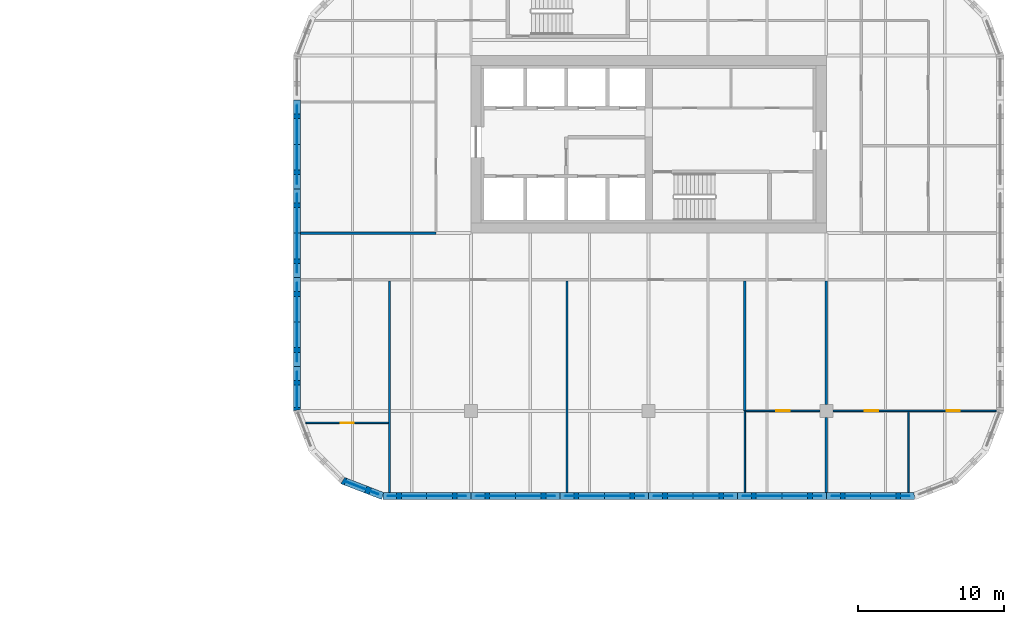
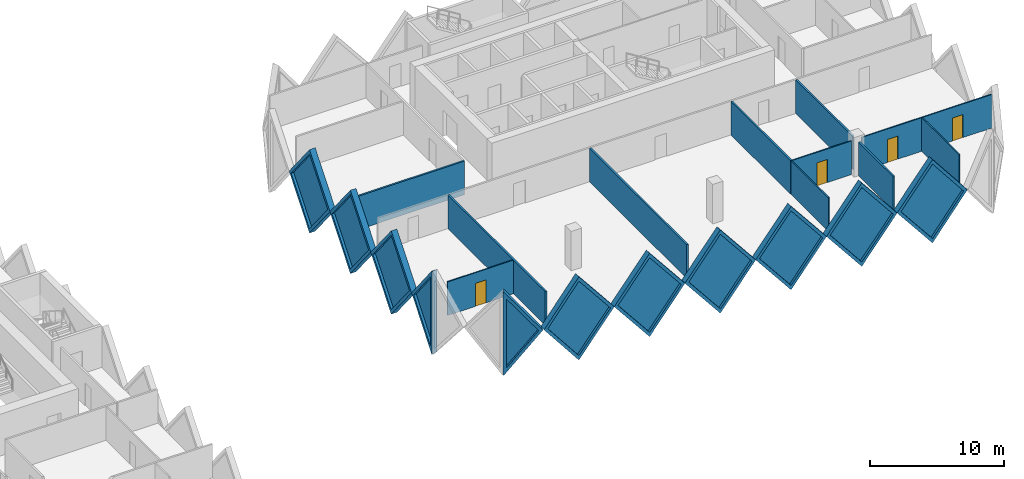
# One storey, part 11 of 18: 22 walls, 11 plates, 4 doors, 15 openings.
"""IFC4 building model written with IfcOpenShell, lengths in metres."""

from ifc_helpers import new_model, si_unit, direction, frame, frame_2d, origin, place, context, subcontext, project, spatial, polyline, rectangle, outline, extrude, faceted_brep, source, transform, mapped, material, layer, layer_set, type_object, element, fill, save


model = new_model("IFC4")

# Units and contexts
model_context = context("Model", 3, precision=1e-05, world=origin(), true_north=direction((0.0, 1.0)))
body_context = subcontext(model_context, "Body", "Model", "MODEL_VIEW")
ifc_project = project(units=[si_unit("LENGTHUNIT", "METRE"), si_unit("AREAUNIT", "SQUARE_METRE"), si_unit("VOLUMEUNIT", "CUBIC_METRE"), si_unit("PLANEANGLEUNIT", "RADIAN"), si_unit("MASSUNIT", "GRAM", prefix="KILO")], contexts=[model_context])

# Site, building, storey
site_placement = place(None, origin())
site = spatial("IfcSite", under=ifc_project, at=site_placement, CompositionType="ELEMENT")
building_placement = place(site_placement, origin())
building = spatial("IfcBuilding", under=site, at=building_placement, Name="Tessera Gate Towers", CompositionType="ELEMENT")
storey_placement = place(building_placement, frame((0.0, 0.0, 44.800048828125)))
storey = spatial("IfcBuildingStorey", under=building, at=storey_placement, Name="L10", CompositionType="ELEMENT", Elevation=44.800048828125)

# Walls
ifc_material_1 = material(Name="Gypsum board on steel studs, mineral wool", Category="steel")
ifc_layer_1 = layer(ifc_material_1, 0.14990234375)
ifc_layer_set_1 = layer_set([ifc_layer_1], Name="CORRIDOR WALL 150")
wall_type_1 = type_object("IfcWallType", Name="CORRIDOR WALL 150", PredefinedType="PARTITIONING", material=ifc_layer_set_1)
wall_1_placement = place(storey_placement, frame((85.89990234375, 36.60009765625, 0.0), z_axis=(0.0, 0.0, 1.0), x_axis=(1.0, 0.0, 0.0)))
element("IfcWall", 1, at=wall_1_placement, inside=storey, type_object=wall_type_1, Name="T2-L10-PW-012", PredefinedType="PARTITIONING", context=body_context, shape_type="SweptSolid", body=[
    extrude(rectangle(XDim=9.300048828125, YDim=0.14990234375, at=frame_2d((4.64990234375, 0.0))), origin(), (0.0, 0.0, 1.0), 3.06689453125),
])
ifc_material_2 = material(Name="Glass", Category="glass")
ifc_layer_2 = layer(ifc_material_2, 0.10009765625)
ifc_layer_set_2 = layer_set([ifc_layer_2], Name="GLAZED PARTITION 100")
wall_type_2 = type_object("IfcWallType", Name="GLAZED PARTITION 100", PredefinedType="PARTITIONING", material=ifc_layer_set_2)
wall_2_placement = place(storey_placement, frame((116.39990234375, 18.800048828125, 0.0), z_axis=(0.0, 0.0, 1.0), x_axis=(0.0, 1.0, 0.0)))
element("IfcWall", 2, at=wall_2_placement, inside=storey, type_object=wall_type_2, Name="T2-L10-PW-003", PredefinedType="PARTITIONING", context=body_context, shape_type="SweptSolid", body=[
    extrude(rectangle(XDim=5.598876953125, YDim=0.10009765625, at=frame_2d((2.79931640625, 0.0))), origin(), (0.0, 0.0, 1.0), 3.06689453125),
])

# Wall, opening, door
wall_3_placement = place(storey_placement, frame((121.549072265625, 24.39990234375, 0.0), z_axis=(0.0, 0.0, 1.0), x_axis=(-1.0, 0.0, 0.0)))
wall_3 = element("IfcWall", 3, at=wall_3_placement, inside=storey, type_object=wall_type_2, Name="T2-L10-PW-008", PredefinedType="PARTITIONING", context=body_context, shape_type="SweptSolid", body=[
    extrude(rectangle(XDim=5.072998046875, YDim=0.10009765625, at=frame_2d((2.53662109375, 0.0))), origin(), (0.0, 0.0, 1.0), 3.06689453125),
])
shared_shape_1 = source(origin(), body_context, "Body", "SweptSolid", [
    extrude(rectangle(XDim=0.89990234375, YDim=2.10009765625, at=frame_2d((0.449951171875, 1.050048828125))), frame((0.0, 0.06005859375, 0.0), z_axis=(0.0, -1.0, 0.0), x_axis=(1.0, 0.0, 0.0)), (0.0, 0.0, 1.0), 0.1201171875),
])
opening_1_placement = place(wall_3_placement, frame((2.072998046875, 0.0, 0.0)))
opening_1 = element("IfcOpeningElement", 4, at=opening_1_placement, cuts=wall_3, Name="Opening D690-B04-01", PredefinedType="OPENING", context=body_context, shape_type="MappedRepresentation", body=[
    mapped(shared_shape_1, transform((0.0, 0.0, 0.0), scale=1.0)),
])
ifc_material_3 = material(Name="Glass in aluminium frame", Category="aluminium")
door_type_1 = type_object("IfcDoorType", Name="GLAZED DOOR 900 NOT RATED", OperationType="NOTDEFINED", PredefinedType="DOOR", material=ifc_material_3)
shared_shape_2 = source(origin(), body_context, "Body", "SweptSolid", [
    extrude(rectangle(XDim=0.89990234375, YDim=2.10009765625, at=frame_2d((0.449951171875, 1.050048828125))), frame((0.0, 0.02490234375, 0.0), z_axis=(0.0, -1.0, 0.0), x_axis=(1.0, 0.0, 0.0)), (0.0, 0.0, 1.0), 0.050048828125),
])
door_1_placement = place(opening_1_placement, origin())
door_1 = element("IfcDoor", 5, at=door_1_placement, inside=storey, type_object=door_type_1, Name="T2-L10-PD-002", OperationType="SINGLE_SWING_RIGHT", OverallHeight=2.10009765625, OverallWidth=0.89990234375, PredefinedType="DOOR", context=body_context, shape_type="MappedRepresentation", body=[
    mapped(shared_shape_2, transform((0.0, 0.0, 0.0), scale=1.0)),
])
fill(opening_1, door_1)

# Wall
ifc_material_4 = material(Name="Gypsum board on steel studs", Category="steel")
ifc_layer_3 = layer(ifc_material_4, 0.10009765625)
ifc_layer_set_3 = layer_set([ifc_layer_3], Name="PARTITION 100")
wall_type_3 = type_object("IfcWallType", Name="PARTITION 100", PredefinedType="PARTITIONING", material=ifc_layer_set_3)
wall_4_placement = place(storey_placement, frame((127.652099609375, 18.800048828125, 0.0), z_axis=(0.0, 0.0, 1.0), x_axis=(0.0, 1.0, 0.0)))
element("IfcWall", 6, at=wall_4_placement, inside=storey, type_object=wall_type_3, Name="T2-L10-PW-005", PredefinedType="PARTITIONING", context=body_context, shape_type="SweptSolid", body=[
    extrude(rectangle(XDim=5.549072265625, YDim=0.10009765625, at=frame_2d((2.7744140625, 0.0))), origin(), (0.0, 0.0, 1.0), 3.06689453125),
])

# Wall, opening, door
wall_5_placement = place(storey_placement, frame((91.924072265625, 23.574951171875, 0.0), z_axis=(0.0, 0.0, 1.0), x_axis=(-1.0, 0.0, 0.0)))
wall_5 = element("IfcWall", 7, at=wall_5_placement, inside=storey, type_object=wall_type_3, Name="T2-L10-PW-006", PredefinedType="PARTITIONING", context=body_context, shape_type="SweptSolid", body=[
    extrude(rectangle(XDim=5.669921875, YDim=0.10009765625, at=frame_2d((2.8349609375, 0.0))), origin(), (0.0, 0.0, 1.0), 3.06689453125),
])
opening_2_placement = place(wall_5_placement, frame((2.369873046875, 0.0, 0.0)))
opening_2 = element("IfcOpeningElement", 8, at=opening_2_placement, cuts=wall_5, Name="Opening D190-B04-02", PredefinedType="OPENING", context=body_context, shape_type="MappedRepresentation", body=[
    mapped(shared_shape_1, transform((0.0, 0.0, 0.0), scale=1.0)),
])
ifc_material_5 = material(Name="Timber door leaf in steel frame", Category="steel")
door_type_2 = type_object("IfcDoorType", Name="INTERNAL DOOR 900 NOT RATED", OperationType="NOTDEFINED", PredefinedType="DOOR", material=ifc_material_5)
door_2_placement = place(opening_2_placement, origin())
door_2 = element("IfcDoor", 9, at=door_2_placement, inside=storey, type_object=door_type_2, Name="T2-L10-PD-006", OperationType="SINGLE_SWING_RIGHT", OverallHeight=2.10009765625, OverallWidth=0.89990234375, PredefinedType="DOOR", context=body_context, shape_type="MappedRepresentation", body=[
    mapped(shared_shape_2, transform((0.0, 0.0, 0.0), scale=1.0)),
])
fill(opening_2, door_2)

# Wall, openings, doors
wall_6_placement = place(storey_placement, frame((133.6640625, 24.39990234375, 0.0), z_axis=(0.0, 0.0, 1.0), x_axis=(-1.0, 0.0, 0.0)))
wall_6 = element("IfcWall", 10, at=wall_6_placement, inside=storey, type_object=wall_type_3, Name="T2-L10-PW-009", PredefinedType="PARTITIONING", context=body_context, shape_type="SweptSolid", body=[
    extrude(rectangle(XDim=11.213134765625, YDim=0.10009765625, at=frame_2d((5.6064453125, 0.0))), origin(), (0.0, 0.0, 1.0), 3.06689453125),
])
opening_3_placement = place(wall_6_placement, frame((8.113037109375, 0.0, 0.0)))
opening_3 = element("IfcOpeningElement", 11, at=opening_3_placement, cuts=wall_6, Name="Opening D190-B04-01", PredefinedType="OPENING", context=body_context, shape_type="MappedRepresentation", body=[
    mapped(shared_shape_1, transform((0.0, 0.0, 0.0), scale=1.0)),
])
opening_4_placement = place(wall_6_placement, frame((2.511962890625, 0.0, 0.0)))
opening_4 = element("IfcOpeningElement", 12, at=opening_4_placement, cuts=wall_6, Name="Opening D190-B04-03", PredefinedType="OPENING", context=body_context, shape_type="MappedRepresentation", body=[
    mapped(shared_shape_1, transform((0.0, 0.0, 0.0), scale=1.0)),
])
door_3_placement = place(opening_3_placement, origin())
door_3 = element("IfcDoor", 13, at=door_3_placement, inside=storey, type_object=door_type_2, Name="T2-L10-PD-003", OperationType="SINGLE_SWING_RIGHT", OverallHeight=2.10009765625, OverallWidth=0.89990234375, PredefinedType="DOOR", context=body_context, shape_type="MappedRepresentation", body=[
    mapped(shared_shape_2, transform((0.0, 0.0, 0.0), scale=1.0)),
])
fill(opening_3, door_3)
door_4_placement = place(opening_4_placement, origin())
door_4 = element("IfcDoor", 14, at=door_4_placement, inside=storey, type_object=door_type_2, Name="T2-L10-PD-008", OperationType="SINGLE_SWING_RIGHT", OverallHeight=2.10009765625, OverallWidth=0.89990234375, PredefinedType="DOOR", context=body_context, shape_type="MappedRepresentation", body=[
    mapped(shared_shape_2, transform((0.0, 0.0, 0.0), scale=1.0)),
])
fill(opening_4, door_4)

# Walls
ifc_material_6 = material(Name="Gypsum board on steel studs, mineral wool", Category="steel")
ifc_layer_4 = layer(ifc_material_6, 0.14990234375)
ifc_layer_set_4 = layer_set([ifc_layer_4], Name="TENANCY WALL 150")
wall_type_4 = type_object("IfcWallType", Name="TENANCY WALL 150", PredefinedType="PARTITIONING", material=ifc_layer_set_4)
for number, where, z_axis, x_axis, name in (
    (15, (92.0, 18.800048828125, 0.0), (0.0, 0.0, 1.0), (0.0, 1.0, 0.0), "T2-L10-PW-001"),
    (16, (104.199951171875, 18.800048828125, 0.0), (0.0, 0.0, 1.0), (0.0, 1.0, 0.0), "T2-L10-PW-002"),
):
    element("IfcWall", number, at=place(storey_placement, frame(where, z_axis=z_axis, x_axis=x_axis)), inside=storey, type_object=wall_type_4, Name=name, PredefinedType="PARTITIONING", context=body_context, shape_type="SweptSolid", body=[
        extrude(rectangle(XDim=14.52392578125, YDim=0.14990234375, at=frame_2d((7.261962890625, 0.0))), origin(), (0.0, 0.0, 1.0), 3.06689453125),
    ])
wall_7_placement = place(storey_placement, frame((122.0, 18.800048828125, 0.0), z_axis=(0.0, 0.0, 1.0), x_axis=(0.0, 1.0, 0.0)))
element("IfcWall", 17, at=wall_7_placement, inside=storey, type_object=wall_type_4, Name="T2-L10-PW-004", PredefinedType="PARTITIONING", context=body_context, shape_type="SweptSolid", body=[
    extrude(rectangle(XDim=5.14892578125, YDim=0.14990234375, at=frame_2d((2.574462890625, 0.0))), origin(), (0.0, 0.0, 1.0), 3.06689453125),
])
wall_8_placement = place(storey_placement, frame((116.39990234375, 24.39990234375, 0.0), z_axis=(0.0, 0.0, 1.0), x_axis=(0.0, 1.0, 0.0)))
element("IfcWall", 18, at=wall_8_placement, inside=storey, type_object=wall_type_4, Name="T2-L10-PW-007", PredefinedType="PARTITIONING", context=body_context, shape_type="SweptSolid", body=[
    extrude(rectangle(XDim=8.924072265625, YDim=0.14990234375, at=frame_2d((4.4619140625, 0.0))), origin(), (0.0, 0.0, 1.0), 3.06689453125),
])
wall_9_placement = place(storey_placement, frame((122.0, 24.85107421875, 0.0), z_axis=(0.0, 0.0, 1.0), x_axis=(0.0, 1.0, 0.0)))
element("IfcWall", 19, at=wall_9_placement, inside=storey, type_object=wall_type_4, Name="T2-L10-PW-010", PredefinedType="PARTITIONING", context=body_context, shape_type="SweptSolid", body=[
    extrude(rectangle(XDim=8.472900390625, YDim=0.14990234375, at=frame_2d((4.236328125, 0.0))), origin(), (0.0, 0.0, 1.0), 3.06689453125),
])

# Wall, opening, plate
ifc_material_7 = material(Name="Precast concrete C60/75 white", Category="concrete")
ifc_layer_5 = layer(ifc_material_7, 0.5)
ifc_layer_set_5 = layer_set([ifc_layer_5], Name="TS1 tessera")
wall_type_5 = type_object("IfcWallType", Name="TS1 tessera", PredefinedType="SOLIDWALL", material=ifc_layer_set_5)
shared_shape_3 = source(origin(), body_context, "Body", "Brep", [
    faceted_brep([(3.00341796875, -0.25, 0.0), (6.053466796875, -0.25, 3.800048828125), (3.00341796875, -0.25, 7.60009765625), (0.0, -0.25, 3.800048828125), (0.046630859375, 0.25, 3.85888671875), (3.00341796875, 0.25, 7.60009765625), (6.053466796875, 0.25, 3.800048828125), (3.00341796875, 0.25, 0.0), (0.046630859375, 0.25, 3.7412109375), (0.0, 0.0, 3.800048828125)], [[[0, 1, 2, 3]], [[4, 5, 6, 7, 8]], [[7, 6, 1, 0]], [[6, 5, 2, 1]], [[5, 4, 9, 3, 2]], [[8, 7, 0, 3, 9]], [[8, 9, 4]]]),
])
wall_10_placement = place(storey_placement, frame((91.546630859375, 18.550048828125, -3.800048828125), z_axis=(0.0, 0.0, 1.0), x_axis=(1.0, 0.0, 0.0)))
wall_10 = element("IfcWall", 20, at=wall_10_placement, inside=storey, type_object=wall_type_5, Name="Precast tessera T2 TS1-0090", PredefinedType="SOLIDWALL", context=body_context, shape_type="MappedRepresentation", body=[
    mapped(shared_shape_3, transform((0.0, 0.0, 0.0), scale=1.0)),
])
shared_shape_4 = source(origin(), body_context, "Body", "SweptSolid", [
    extrude(outline(polyline([(3.0048828125, 0.4013671875), (5.73291015625, 3.800048828125), (3.0048828125, 7.19873046875), (0.318603515625, 3.800048828125), (3.0048828125, 0.4013671875)])), frame((0.0, 0.260009765625, 0.0), z_axis=(0.0, -1.0, 0.0), x_axis=(1.0, 0.0, 0.0)), (0.0, 0.0, 1.0), 0.52001953125),
])
opening_5_placement = place(wall_10_placement, origin())
opening_5 = element("IfcOpeningElement", 21, at=opening_5_placement, cuts=wall_10, Name="Opening T2-PL2-0170", PredefinedType="OPENING", context=body_context, shape_type="MappedRepresentation", body=[
    mapped(shared_shape_4, transform((0.0, 0.0, 0.0), scale=1.0)),
])
ifc_material_8 = material(Name="Low-e laminated glass", Category="glass")
ifc_layer_6 = layer(ifc_material_8, 0.06005859375)
ifc_layer_set_6 = layer_set([ifc_layer_6], Name="PL2 rhombic pane")
plate_type = type_object("IfcPlateType", Name="PL2 rhombic pane", PredefinedType="SHEET", material=ifc_layer_set_6)
shared_shape_5 = source(origin(), body_context, "Body", "SweptSolid", [
    extrude(outline(polyline([(3.0048828125, 0.4013671875), (5.73291015625, 3.800048828125), (3.0048828125, 7.19873046875), (0.318603515625, 3.800048828125), (3.0048828125, 0.4013671875)])), frame((0.0, 0.030029296875, 0.0), z_axis=(0.0, -1.0, 0.0), x_axis=(1.0, 0.0, 0.0)), (0.0, 0.0, 1.0), 0.06005859375),
])
plate_1_placement = place(opening_5_placement, origin())
plate_1 = element("IfcPlate", 22, at=plate_1_placement, inside=storey, type_object=plate_type, Name="Glass pane T2 PL2-0170", PredefinedType="SHEET", context=body_context, shape_type="MappedRepresentation", body=[
    mapped(shared_shape_5, transform((0.0, 0.0, 0.0), scale=1.0)),
])
fill(opening_5, plate_1)

shared_shape_6 = source(origin(), body_context, "Body", "Brep", [
    faceted_brep([(3.050048828125, -0.25, 0.0), (6.099853515625, -0.25, 3.7998046875), (6.099853515625, -0.25, 3.80029296875), (3.050048828125, -0.25, 7.60009765625), (0.0, -0.25, 3.800048828125), (0.0, 0.25, 3.800048828125), (3.050048828125, 0.25, 7.60009765625), (6.099853515625, 0.25, 3.80029296875), (6.099853515625, 0.25, 3.7998046875), (3.050048828125, 0.25, 0.0)], [[[0, 1, 2, 3, 4]], [[5, 6, 7, 8, 9]], [[9, 8, 1, 0]], [[7, 6, 3, 2]], [[6, 5, 4, 3]], [[5, 9, 0, 4]], [[1, 8, 7, 2]]]),
])
wall_11_placement = place(storey_placement, frame((97.60009765625, 18.550048828125, -3.800048828125), z_axis=(0.0, 0.0, 1.0), x_axis=(1.0, 0.0, 0.0)))
wall_11 = element("IfcWall", 23, at=wall_11_placement, inside=storey, type_object=wall_type_5, Name="Precast tessera T2 TS1-0091", PredefinedType="SOLIDWALL", context=body_context, shape_type="MappedRepresentation", body=[
    mapped(shared_shape_6, transform((0.0, 0.0, 0.0), scale=1.0)),
])
shared_shape_7 = source(origin(), body_context, "Body", "SweptSolid", [
    extrude(outline(polyline([(3.050048828125, 0.3994140625), (5.779541015625, 3.800048828125), (3.050048828125, 7.20068359375), (0.320556640625, 3.800048828125), (3.050048828125, 0.3994140625)])), frame((0.0, 0.260009765625, 0.0), z_axis=(0.0, -1.0, 0.0), x_axis=(1.0, 0.0, 0.0)), (0.0, 0.0, 1.0), 0.52001953125),
])
opening_6_placement = place(wall_11_placement, origin())
opening_6 = element("IfcOpeningElement", 24, at=opening_6_placement, cuts=wall_11, Name="Opening T2-PL2-0171", PredefinedType="OPENING", context=body_context, shape_type="MappedRepresentation", body=[
    mapped(shared_shape_7, transform((0.0, 0.0, 0.0), scale=1.0)),
])
shared_shape_8 = source(origin(), body_context, "Body", "SweptSolid", [
    extrude(outline(polyline([(3.050048828125, 0.3994140625), (5.779541015625, 3.800048828125), (3.050048828125, 7.20068359375), (0.320556640625, 3.800048828125), (3.050048828125, 0.3994140625)])), frame((0.0, 0.030029296875, 0.0), z_axis=(0.0, -1.0, 0.0), x_axis=(1.0, 0.0, 0.0)), (0.0, 0.0, 1.0), 0.06005859375),
])
plate_2_placement = place(opening_6_placement, origin())
plate_2 = element("IfcPlate", 25, at=plate_2_placement, inside=storey, type_object=plate_type, Name="Glass pane T2 PL2-0171", PredefinedType="SHEET", context=body_context, shape_type="MappedRepresentation", body=[
    mapped(shared_shape_8, transform((0.0, 0.0, 0.0), scale=1.0)),
])
fill(opening_6, plate_2)

wall_12_placement = place(storey_placement, frame((109.800048828125, 18.550048828125, -3.800048828125), z_axis=(0.0, 0.0, 1.0), x_axis=(1.0, 0.0, 0.0)))
wall_12 = element("IfcWall", 26, at=wall_12_placement, inside=storey, type_object=wall_type_5, Name="Precast tessera T2 TS1-0093", PredefinedType="SOLIDWALL", context=body_context, shape_type="MappedRepresentation", body=[
    mapped(shared_shape_6, transform((0.0, 0.0, 0.0), scale=1.0)),
])
opening_7_placement = place(wall_12_placement, origin())
opening_7 = element("IfcOpeningElement", 27, at=opening_7_placement, cuts=wall_12, Name="Opening T2-PL2-0173", PredefinedType="OPENING", context=body_context, shape_type="MappedRepresentation", body=[
    mapped(shared_shape_7, transform((0.0, 0.0, 0.0), scale=1.0)),
])
plate_3_placement = place(opening_7_placement, origin())
plate_3 = element("IfcPlate", 28, at=plate_3_placement, inside=storey, type_object=plate_type, Name="Glass pane T2 PL2-0173", PredefinedType="SHEET", context=body_context, shape_type="MappedRepresentation", body=[
    mapped(shared_shape_8, transform((0.0, 0.0, 0.0), scale=1.0)),
])
fill(opening_7, plate_3)

wall_13_placement = place(storey_placement, frame((85.64990234375, 39.64990234375, -3.800048828125), z_axis=(0.0, 0.0, 1.0), x_axis=(0.0, -1.0, 0.0)))
wall_13 = element("IfcWall", 29, at=wall_13_placement, inside=storey, type_object=wall_type_5, Name="Precast tessera T2 TS1-0106", PredefinedType="SOLIDWALL", context=body_context, shape_type="MappedRepresentation", body=[
    mapped(shared_shape_6, transform((0.0, 0.0, 0.0), scale=1.0)),
])
opening_8_placement = place(wall_13_placement, origin())
opening_8 = element("IfcOpeningElement", 30, at=opening_8_placement, cuts=wall_13, Name="Opening T2-PL2-0198", PredefinedType="OPENING", context=body_context, shape_type="MappedRepresentation", body=[
    mapped(shared_shape_7, transform((0.0, 0.0, 0.0), scale=1.0)),
])
plate_4_placement = place(opening_8_placement, origin())
plate_4 = element("IfcPlate", 31, at=plate_4_placement, inside=storey, type_object=plate_type, Name="Glass pane T2 PL2-0198", PredefinedType="SHEET", context=body_context, shape_type="MappedRepresentation", body=[
    mapped(shared_shape_8, transform((0.0, 0.0, 0.0), scale=1.0)),
])
fill(opening_8, plate_4)

shared_shape_9 = source(origin(), body_context, "Body", "SweptSolid", [
    extrude(outline(polyline([(3.050048828125, 0.0), (6.10009765625, 3.800048828125), (3.050048828125, 7.60009765625), (0.0, 3.800048828125), (3.050048828125, 0.0)])), frame((0.0, 0.25, 0.0), z_axis=(0.0, -1.0, 0.0), x_axis=(1.0, 0.0, 0.0)), (0.0, 0.0, 1.0), 0.5),
])
wall_14_placement = place(storey_placement, frame((103.699951171875, 18.550048828125, -3.800048828125), z_axis=(0.0, 0.0, 1.0), x_axis=(1.0, 0.0, 0.0)))
wall_14 = element("IfcWall", 32, at=wall_14_placement, inside=storey, type_object=wall_type_5, Name="Precast tessera T2 TS1-0092", PredefinedType="SOLIDWALL", context=body_context, shape_type="MappedRepresentation", body=[
    mapped(shared_shape_9, transform((0.0, 0.0, 0.0), scale=1.0)),
])
opening_9_placement = place(wall_14_placement, origin())
opening_9 = element("IfcOpeningElement", 33, at=opening_9_placement, cuts=wall_14, Name="Opening T2-PL2-0172", PredefinedType="OPENING", context=body_context, shape_type="MappedRepresentation", body=[
    mapped(shared_shape_7, transform((0.0, 0.0, 0.0), scale=1.0)),
])
plate_5_placement = place(opening_9_placement, origin())
plate_5 = element("IfcPlate", 34, at=plate_5_placement, inside=storey, type_object=plate_type, Name="Glass pane T2 PL2-0172", PredefinedType="SHEET", context=body_context, shape_type="MappedRepresentation", body=[
    mapped(shared_shape_8, transform((0.0, 0.0, 0.0), scale=1.0)),
])
fill(opening_9, plate_5)

wall_15_placement = place(storey_placement, frame((115.89990234375, 18.550048828125, -3.800048828125), z_axis=(0.0, 0.0, 1.0), x_axis=(1.0, 0.0, 0.0)))
wall_15 = element("IfcWall", 35, at=wall_15_placement, inside=storey, type_object=wall_type_5, Name="Precast tessera T2 TS1-0094", PredefinedType="SOLIDWALL", context=body_context, shape_type="MappedRepresentation", body=[
    mapped(shared_shape_9, transform((0.0, 0.0, 0.0), scale=1.0)),
])
opening_10_placement = place(wall_15_placement, origin())
opening_10 = element("IfcOpeningElement", 36, at=opening_10_placement, cuts=wall_15, Name="Opening T2-PL2-0174", PredefinedType="OPENING", context=body_context, shape_type="MappedRepresentation", body=[
    mapped(shared_shape_7, transform((0.0, 0.0, 0.0), scale=1.0)),
])
plate_6_placement = place(opening_10_placement, origin())
plate_6 = element("IfcPlate", 37, at=plate_6_placement, inside=storey, type_object=plate_type, Name="Glass pane T2 PL2-0174", PredefinedType="SHEET", context=body_context, shape_type="MappedRepresentation", body=[
    mapped(shared_shape_8, transform((0.0, 0.0, 0.0), scale=1.0)),
])
fill(opening_10, plate_6)

wall_16_placement = place(storey_placement, frame((85.64990234375, 45.75, -3.800048828125), z_axis=(0.0, 0.0, 1.0), x_axis=(0.0, -1.0, 0.0)))
wall_16 = element("IfcWall", 38, at=wall_16_placement, inside=storey, type_object=wall_type_5, Name="Precast tessera T2 TS1-0105", PredefinedType="SOLIDWALL", context=body_context, shape_type="MappedRepresentation", body=[
    mapped(shared_shape_9, transform((0.0, 0.0, 0.0), scale=1.0)),
])
opening_11_placement = place(wall_16_placement, origin())
opening_11 = element("IfcOpeningElement", 39, at=opening_11_placement, cuts=wall_16, Name="Opening T2-PL2-0197", PredefinedType="OPENING", context=body_context, shape_type="MappedRepresentation", body=[
    mapped(shared_shape_7, transform((0.0, 0.0, 0.0), scale=1.0)),
])
plate_7_placement = place(opening_11_placement, origin())
plate_7 = element("IfcPlate", 40, at=plate_7_placement, inside=storey, type_object=plate_type, Name="Glass pane T2 PL2-0197", PredefinedType="SHEET", context=body_context, shape_type="MappedRepresentation", body=[
    mapped(shared_shape_8, transform((0.0, 0.0, 0.0), scale=1.0)),
])
fill(opening_11, plate_7)

wall_17_placement = place(storey_placement, frame((85.64990234375, 33.550048828125, -3.800048828125), z_axis=(0.0, 0.0, 1.0), x_axis=(0.0, -1.0, 0.0)))
wall_17 = element("IfcWall", 41, at=wall_17_placement, inside=storey, type_object=wall_type_5, Name="Precast tessera T2 TS1-0107", PredefinedType="SOLIDWALL", context=body_context, shape_type="MappedRepresentation", body=[
    mapped(shared_shape_9, transform((0.0, 0.0, 0.0), scale=1.0)),
])
opening_12_placement = place(wall_17_placement, origin())
opening_12 = element("IfcOpeningElement", 42, at=opening_12_placement, cuts=wall_17, Name="Opening T2-PL2-0199", PredefinedType="OPENING", context=body_context, shape_type="MappedRepresentation", body=[
    mapped(shared_shape_7, transform((0.0, 0.0, 0.0), scale=1.0)),
])
plate_8_placement = place(opening_12_placement, origin())
plate_8 = element("IfcPlate", 43, at=plate_8_placement, inside=storey, type_object=plate_type, Name="Glass pane T2 PL2-0199", PredefinedType="SHEET", context=body_context, shape_type="MappedRepresentation", body=[
    mapped(shared_shape_8, transform((0.0, 0.0, 0.0), scale=1.0)),
])
fill(opening_12, plate_8)

shared_shape_10 = source(origin(), body_context, "Body", "Brep", [
    faceted_brep([(3.050048828125, -0.25, 0.0), (6.053466796875, -0.25, 3.800048828125), (3.050048828125, -0.25, 7.60009765625), (0.0, -0.25, 3.800048828125), (0.0, 0.25, 3.800048828125), (3.050048828125, 0.25, 7.60009765625), (6.0068359375, 0.25, 3.85888671875), (6.0068359375, 0.25, 3.7412109375), (3.050048828125, 0.25, 0.0), (6.053466796875, 0.0, 3.800048828125)], [[[0, 1, 2, 3]], [[4, 5, 6, 7, 8]], [[8, 7, 9, 1, 0]], [[6, 5, 2, 1, 9]], [[5, 4, 3, 2]], [[4, 8, 0, 3]], [[9, 7, 6]]]),
])
wall_18_placement = place(storey_placement, frame((122.0, 18.550048828125, -3.800048828125), z_axis=(0.0, 0.0, 1.0), x_axis=(1.0, 0.0, 0.0)))
wall_18 = element("IfcWall", 44, at=wall_18_placement, inside=storey, type_object=wall_type_5, Name="Precast tessera T2 TS1-0095", PredefinedType="SOLIDWALL", context=body_context, shape_type="MappedRepresentation", body=[
    mapped(shared_shape_10, transform((0.0, 0.0, 0.0), scale=1.0)),
])
shared_shape_11 = source(origin(), body_context, "Body", "SweptSolid", [
    extrude(outline(polyline([(3.048583984375, 0.4013671875), (5.73486328125, 3.800048828125), (3.048583984375, 7.19873046875), (0.320556640625, 3.800048828125), (3.048583984375, 0.4013671875)])), frame((0.0, 0.260009765625, 0.0), z_axis=(0.0, -1.0, 0.0), x_axis=(1.0, 0.0, 0.0)), (0.0, 0.0, 1.0), 0.52001953125),
])
opening_13_placement = place(wall_18_placement, origin())
opening_13 = element("IfcOpeningElement", 45, at=opening_13_placement, cuts=wall_18, Name="Opening T2-PL2-0175", PredefinedType="OPENING", context=body_context, shape_type="MappedRepresentation", body=[
    mapped(shared_shape_11, transform((0.0, 0.0, 0.0), scale=1.0)),
])
shared_shape_12 = source(origin(), body_context, "Body", "SweptSolid", [
    extrude(outline(polyline([(3.048583984375, 0.4013671875), (5.73486328125, 3.800048828125), (3.048583984375, 7.19873046875), (0.320556640625, 3.800048828125), (3.048583984375, 0.4013671875)])), frame((0.0, 0.030029296875, 0.0), z_axis=(0.0, -1.0, 0.0), x_axis=(1.0, 0.0, 0.0)), (0.0, 0.0, 1.0), 0.06005859375),
])
plate_9_placement = place(opening_13_placement, origin())
plate_9 = element("IfcPlate", 46, at=plate_9_placement, inside=storey, type_object=plate_type, Name="Glass pane T2 PL2-0175", PredefinedType="SHEET", context=body_context, shape_type="MappedRepresentation", body=[
    mapped(shared_shape_12, transform((0.0, 0.0, 0.0), scale=1.0)),
])
fill(opening_13, plate_9)

ifc_material_9 = material(Name="Precast concrete C60/75 white", Category="concrete")
ifc_layer_7 = layer(ifc_material_9, 0.5)
ifc_layer_set_7 = layer_set([ifc_layer_7], Name="TS3 corner tessera")
wall_type_6 = type_object("IfcWallType", Name="TS3 corner tessera", PredefinedType="SOLIDWALL", material=ifc_layer_set_7)
shared_shape_13 = source(origin(), body_context, "Body", "Brep", [
    faceted_brep([(3.00341796875, -0.25, 0.0), (3.050048828125, -0.25, 0.06005859375), (3.050048828125, -0.25, 7.5400390625), (3.00341796875, -0.25, 7.60009765625), (0.0, -0.25, 3.800048828125), (0.0, 0.25, 3.800048828125), (2.956787109375, 0.25, 7.541259765625), (2.956787109375, 0.25, 0.058837890625), (3.00341796875, 0.000244140625, 0.0), (3.00341796875, 0.000244140625, 7.60009765625)], [[[0, 1, 2, 3, 4]], [[5, 6, 7]], [[1, 0, 8]], [[9, 3, 2]], [[6, 5, 4, 3, 9]], [[5, 7, 8, 0, 4]], [[1, 8, 7, 6, 9, 2]]]),
])
wall_19_placement = place(storey_placement, frame((85.64990234375, 27.449951171875, -3.800048828125), z_axis=(0.0, 0.0, 1.0), x_axis=(0.0, -1.0, 0.0)))
wall_19 = element("IfcWall", 47, at=wall_19_placement, inside=storey, type_object=wall_type_6, Name="Precast corner tessera T2 TS3-0141", PredefinedType="SOLIDWALL", context=body_context, shape_type="MappedRepresentation", body=[
    mapped(shared_shape_13, transform((0.0, 0.0, 0.0), scale=1.0)),
])
shared_shape_14 = source(origin(), body_context, "Body", "SweptSolid", [
    extrude(outline(polyline([(2.803466796875, 6.94384765625), (0.318603515625, 3.800048828125), (2.803466796875, 0.65625), (2.803466796875, 6.94384765625)])), frame((0.0, 0.260009765625, 0.0), z_axis=(0.0, -1.0, 0.0), x_axis=(1.0, 0.0, 0.0)), (0.0, 0.0, 1.0), 0.52001953125),
])
opening_14_placement = place(wall_19_placement, origin())
opening_14 = element("IfcOpeningElement", 48, at=opening_14_placement, cuts=wall_19, Name="Opening T2-PL2-0200", PredefinedType="OPENING", context=body_context, shape_type="MappedRepresentation", body=[
    mapped(shared_shape_14, transform((0.0, 0.0, 0.0), scale=1.0)),
])
shared_shape_15 = source(origin(), body_context, "Body", "SweptSolid", [
    extrude(outline(polyline([(2.803466796875, 6.94384765625), (0.318603515625, 3.800048828125), (2.803466796875, 0.65625), (2.803466796875, 6.94384765625)])), frame((0.0, 0.030029296875, 0.0), z_axis=(0.0, -1.0, 0.0), x_axis=(1.0, 0.0, 0.0)), (0.0, 0.0, 1.0), 0.06005859375),
])
plate_10_placement = place(opening_14_placement, origin())
plate_10 = element("IfcPlate", 49, at=plate_10_placement, inside=storey, type_object=plate_type, Name="Glass pane T2 PL2-0200", PredefinedType="SHEET", context=body_context, shape_type="MappedRepresentation", body=[
    mapped(shared_shape_15, transform((0.0, 0.0, 0.0), scale=1.0)),
])
fill(opening_14, plate_10)

shared_shape_16 = source(origin(), body_context, "Body", "Brep", [
    faceted_brep([(0.052978515625, -0.25, 0.0), (3.00341796875, -0.25, 3.800048828125), (0.052978515625, -0.25, 7.60009765625), (0.0, -0.25, 7.53173828125), (0.0, -0.25, 0.068359375), (0.10595703125, 0.25, 7.531982421875), (2.95703125, 0.25, 3.85986328125), (2.95703125, 0.25, 3.740234375), (0.10595703125, 0.25, 0.068115234375), (3.00341796875, 0.00048828125, 3.800048828125), (0.052978515625, 0.0, 0.0), (0.052978515625, 0.0, 7.60009765625)], [[[0, 1, 2, 3, 4]], [[5, 6, 7, 8]], [[8, 7, 9, 1, 0, 10]], [[6, 5, 11, 2, 1, 9]], [[3, 2, 11]], [[10, 0, 4]], [[8, 10, 4, 3, 11, 5]], [[9, 7, 6]]]),
])
wall_20_placement = place(storey_placement, frame((88.744384765625, 19.630859375, -3.800048828125), z_axis=(0.0, 0.0, 1.0), x_axis=(0.932997369089, -0.359883188373, 0.0)))
wall_20 = element("IfcWall", 50, at=wall_20_placement, inside=storey, type_object=wall_type_6, Name="Precast corner tessera T2 TS3-0144", PredefinedType="SOLIDWALL", context=body_context, shape_type="MappedRepresentation", body=[
    mapped(shared_shape_16, transform((0.0, 0.0, 0.0), scale=1.0)),
])
shared_shape_17 = source(origin(), body_context, "Body", "SweptSolid", [
    extrude(outline(polyline([(0.2529296875, 0.665283203125), (2.68701171875, 3.800048828125), (0.2529296875, 6.934814453125), (0.2529296875, 0.665283203125)])), frame((0.0, 0.260009765625, 0.0), z_axis=(0.0, -1.0, 0.0), x_axis=(1.0, 0.0, 0.0)), (0.0, 0.0, 1.0), 0.52001953125),
])
opening_15_placement = place(wall_20_placement, origin())
opening_15 = element("IfcOpeningElement", 51, at=opening_15_placement, cuts=wall_20, Name="Opening T2-PL2-0203", PredefinedType="OPENING", context=body_context, shape_type="MappedRepresentation", body=[
    mapped(shared_shape_17, transform((0.0, 0.0, 0.0), scale=1.0)),
])
shared_shape_18 = source(origin(), body_context, "Body", "SweptSolid", [
    extrude(outline(polyline([(0.2529296875, 0.665283203125), (2.68701171875, 3.800048828125), (0.2529296875, 6.934814453125), (0.2529296875, 0.665283203125)])), frame((0.0, 0.030029296875, 0.0), z_axis=(0.0, -1.0, 0.0), x_axis=(1.0, 0.0, 0.0)), (0.0, 0.0, 1.0), 0.06005859375),
])
plate_11_placement = place(opening_15_placement, origin())
plate_11 = element("IfcPlate", 52, at=plate_11_placement, inside=storey, type_object=plate_type, Name="Glass pane T2 PL2-0203", PredefinedType="SHEET", context=body_context, shape_type="MappedRepresentation", body=[
    mapped(shared_shape_18, transform((0.0, 0.0, 0.0), scale=1.0)),
])
fill(opening_15, plate_11)

save(model, "model.ifc")
